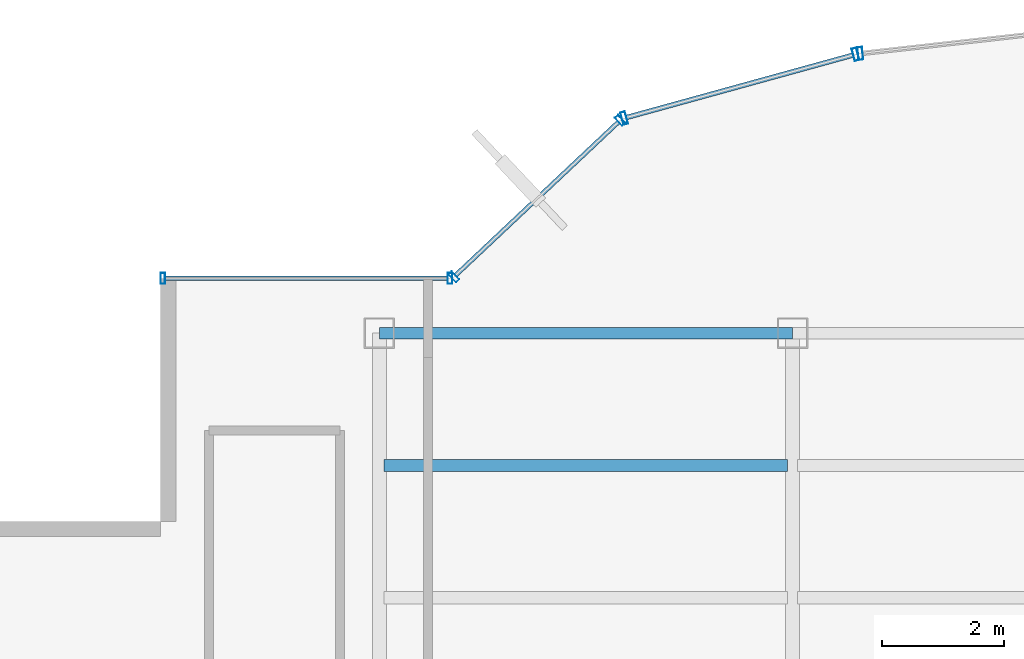
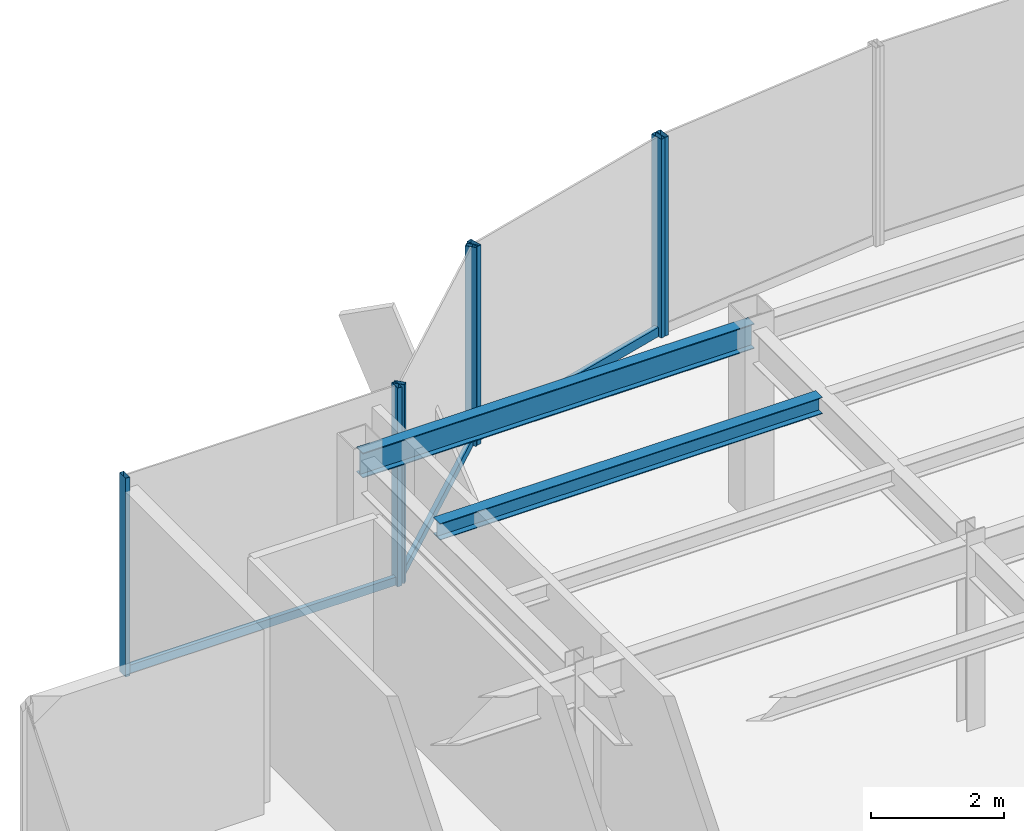
# One storey, part 12 of 22: 10 members, 2 beams, 4 elements without a shape of their own.
"""IFC4 building model written with IfcOpenShell, lengths in metres."""

from ifc_helpers import new_model, si_unit, derived_unit, direction, frame, origin, origin_2d, place, context, subcontext, project, spatial, hollow_rectangle, i_section, extrude, source, transform, mapped, material, material_profile, profile_set, type_object, element, aggregate, save


model = new_model("IFC4")

# Units and contexts
model_context = context("Model", 3, precision=1e-05, world=origin(), true_north=direction((0.0, 1.0)))
body_context = subcontext(model_context, "Body", "Model", "MODEL_VIEW")
ifc_project = project(units=[si_unit("LENGTHUNIT", "METRE"), si_unit("AREAUNIT", "SQUARE_METRE"), si_unit("VOLUMEUNIT", "CUBIC_METRE"), si_unit("PLANEANGLEUNIT", "RADIAN"), si_unit("MASSUNIT", "GRAM", prefix="KILO"), derived_unit("THERMALTRANSMITTANCEUNIT", [(si_unit("POWERUNIT", "WATT"), 1), (si_unit("LENGTHUNIT", "METRE"), -2), (si_unit("THERMODYNAMICTEMPERATUREUNIT", "KELVIN"), -1)])], contexts=[model_context])

# Site, building, storey
site_placement = place(None, origin())
site = spatial("IfcSite", under=ifc_project, at=site_placement, CompositionType="ELEMENT")
building_placement = place(site_placement, origin())
building = spatial("IfcBuilding", under=site, at=building_placement, Name="Skarnbrae Concourse Arena and Tower", CompositionType="ELEMENT")
storey_placement = place(building_placement, frame((0.0, 0.0, 262.449951171875)))
storey = spatial("IfcBuildingStorey", under=building, at=storey_placement, Name="L68", CompositionType="ELEMENT", Elevation=262.449951171875)

# Beams
ifc_material_1 = material(Name="Steel CSA G40.21 350W", Category="steel")
ifc_material_profile_1 = material_profile(ifc_material_1, i_section(OverallWidth=0.19091796875, OverallDepth=0.4599609375, WebThickness=0.010009765625, FlangeThickness=0.01611328125, at=origin_2d()), Name="W460X82")
ifc_profile_set_1 = profile_set([ifc_material_profile_1], Name="Steel CSA G40.21 350W")
beam_type_1 = type_object("IfcBeamType", Name="BM-SPAN-W460X82", PredefinedType="SPANDREL", material=ifc_profile_set_1)
shared_shape_1 = source(origin(), body_context, "Body", "SweptSolid", [
    extrude(i_section(OverallWidth=0.19091796875, OverallDepth=0.4599609375, WebThickness=0.010009765625, FlangeThickness=0.01611328125, at=origin_2d()), origin(), (0.0, 0.0, 1.0), 6.7998046875),
])
beam_1_placement = place(storey_placement, frame((7.60009765625, 34.39990234375, 3.170166015625), z_axis=(1.0, 0.0, 0.0), x_axis=(0.0, 1.0, 0.0)))
element("IfcBeam", 1, at=beam_1_placement, inside=storey, type_object=beam_type_1, Name="L68 Perimeter spandrel Y34.4-1", PredefinedType="SPANDREL", context=body_context, shape_type="MappedRepresentation", body=[
    mapped(shared_shape_1, transform((0.0, 0.0, 0.0))),
])
ifc_material_profile_2 = material_profile(ifc_material_1, i_section(OverallWidth=0.202880859375, OverallDepth=0.302978515625, WebThickness=0.007568359375, FlangeThickness=0.01318359375, at=origin_2d()), Name="W310X60")
ifc_profile_set_2 = profile_set([ifc_material_profile_2], Name="Steel CSA G40.21 350W")
beam_type_2 = type_object("IfcBeamType", Name="BM-JOIST-W310X60", PredefinedType="JOIST", material=ifc_profile_set_2)
shared_shape_2 = source(origin(), body_context, "Body", "SweptSolid", [
    extrude(i_section(OverallWidth=0.202880859375, OverallDepth=0.302978515625, WebThickness=0.007568359375, FlangeThickness=0.01318359375, at=origin_2d()), origin(), (0.0, 0.0, 1.0), 6.64013671875),
])
beam_2_placement = place(storey_placement, frame((7.679931640625, 32.221923828125, 3.24853515625), z_axis=(1.0, 0.0, 0.0), x_axis=(0.0, 1.0, 0.0)))
element("IfcBeam", 2, at=beam_2_placement, inside=storey, type_object=beam_type_2, Name="L68 Secondary floor joist 3.2.1", PredefinedType="JOIST", context=body_context, shape_type="MappedRepresentation", body=[
    mapped(shared_shape_2, transform((0.0, 0.0, 0.0))),
])

# Curtain wall, member
ifc_material_2 = material(Name="Bronze anodised aluminium 6063-T6", Category="aluminium")
curtain_wall_type_1 = type_object("IfcCurtainWallType", Name="CW-SYS-03-PORTAL", PredefinedType="USERDEFINED", material=ifc_material_2)
curtain_wall_1_placement = place(storey_placement, origin())
curtain_wall_1 = element("IfcCurtainWall", 3, at=curtain_wall_1_placement, inside=storey, type_object=curtain_wall_type_1, Name="L68 Unitised curtain wall CW-L68-E12", ObjectType="UNITISED CURTAIN WALL", PredefinedType="USERDEFINED")
ifc_material_profile_3 = material_profile(ifc_material_2, hollow_rectangle(XDim=0.080078125, YDim=0.2099609375, WallThickness=0.00439453125, at=origin_2d()), Name="ALU-MULL-80X210")
ifc_profile_set_3 = profile_set([ifc_material_profile_3], Name="Bronze anodised aluminium 6063-T6")
member_type_1 = type_object("IfcMemberType", Name="CWM-CW-03", PredefinedType="MULLION", material=ifc_profile_set_3)
shared_shape_3 = source(origin(), body_context, "Body", "SweptSolid", [
    extrude(hollow_rectangle(XDim=0.080078125, YDim=0.2099609375, WallThickness=0.00439453125, at=origin_2d()), origin(), (0.0, 0.0, 1.0), 3.650146484375),
])
member_1_placement = place(storey_placement, frame((15.513916015625, 39.001708984375, 0.0), z_axis=(0.0, 0.0, 1.0), x_axis=(-0.993768891873, -0.111460259941, 0.0)))
member_1 = element("IfcMember", 4, at=member_1_placement, type_object=member_type_1, Name="CW-L68-E12 Mullion 2", PredefinedType="MULLION", context=body_context, shape_type="MappedRepresentation", body=[
    mapped(shared_shape_3, transform((0.0, 0.0, 0.0))),
])
aggregate(curtain_wall_1, [member_1])

# Curtain wall, members
curtain_wall_2_placement = place(storey_placement, origin())
curtain_wall_2 = element("IfcCurtainWall", 5, at=curtain_wall_2_placement, inside=storey, type_object=curtain_wall_type_1, Name="L68 Unitised curtain wall CW-L68-E13", ObjectType="UNITISED CURTAIN WALL", PredefinedType="USERDEFINED")
member_2_placement = place(storey_placement, frame((15.435546875, 38.986572265625, 0.0), z_axis=(0.0, 0.0, 1.0), x_axis=(-0.964057388766, -0.265694093207, 0.0)))
member_2 = element("IfcMember", 6, at=member_2_placement, type_object=member_type_1, Name="CW-L68-E13 Mullion 1", PredefinedType="MULLION", context=body_context, shape_type="MappedRepresentation", body=[
    mapped(shared_shape_3, transform((0.0, 0.0, 0.0))),
])
member_3_placement = place(storey_placement, frame((11.62890625, 37.937255859375, 0.0), z_axis=(0.0, 0.0, 1.0), x_axis=(-0.964057388766, -0.265694093207, 0.0)))
member_3 = element("IfcMember", 7, at=member_3_placement, type_object=member_type_1, Name="CW-L68-E13 Mullion 2", PredefinedType="MULLION", context=body_context, shape_type="MappedRepresentation", body=[
    mapped(shared_shape_3, transform((0.0, 0.0, 0.0))),
])

# Curtain wall, member
curtain_wall_type_2 = type_object("IfcCurtainWallType", Name="CW-SYS-05-HIGHZONE", PredefinedType="USERDEFINED", material=ifc_material_2)
curtain_wall_3_placement = place(storey_placement, origin())
curtain_wall_3 = element("IfcCurtainWall", 8, at=curtain_wall_3_placement, inside=storey, type_object=curtain_wall_type_2, Name="L68 Unitised curtain wall CW-L68-E15", ObjectType="UNITISED CURTAIN WALL", PredefinedType="USERDEFINED")
ifc_material_profile_4 = material_profile(ifc_material_2, hollow_rectangle(XDim=0.074951171875, YDim=0.14990234375, WallThickness=0.00390625, at=origin_2d()), Name="ALU-TRAN-75X150")
ifc_profile_set_4 = profile_set([ifc_material_profile_4], Name="Bronze anodised aluminium 6063-T6")
member_type_2 = type_object("IfcMemberType", Name="CWT-CW-05", PredefinedType="USERDEFINED", material=ifc_profile_set_4)
shared_shape_4 = source(origin(), body_context, "Body", "SweptSolid", [
    extrude(hollow_rectangle(XDim=0.074951171875, YDim=0.14990234375, WallThickness=0.00390625, at=origin_2d()), origin(), (0.0, 0.0, 1.0), 4.650146484375),
])
member_4_placement = place(storey_placement, frame((8.72509765625, 35.300048828125, 0.074951171875), z_axis=(-1.0, 0.0, 0.0), x_axis=(0.0, -1.0, 0.0)))
member_4 = element("IfcMember", 9, at=member_4_placement, type_object=member_type_2, Name="CW-L68-E15 Transom 1", ObjectType="TRANSOM", PredefinedType="USERDEFINED", context=body_context, shape_type="MappedRepresentation", body=[
    mapped(shared_shape_4, transform((0.0, 0.0, 0.0))),
])

# Curtain wall, members
curtain_wall_4_placement = place(storey_placement, origin())
curtain_wall_4 = element("IfcCurtainWall", 10, at=curtain_wall_4_placement, inside=storey, type_object=curtain_wall_type_2, Name="L68 Unitised curtain wall CW-L68-E14", ObjectType="UNITISED CURTAIN WALL", PredefinedType="USERDEFINED")
shared_shape_5 = source(origin(), body_context, "Body", "SweptSolid", [
    extrude(hollow_rectangle(XDim=0.074951171875, YDim=0.14990234375, WallThickness=0.00390625, at=origin_2d()), origin(), (0.0, 0.0, 1.0), 3.68212890625),
])
member_5_placement = place(storey_placement, frame((11.53564453125, 37.875244140625, 0.074951171875), z_axis=(-0.728133808476, -0.685435012933, 0.0), x_axis=(0.685435012933, -0.728133808476, 0.0)))
member_5 = element("IfcMember", 11, at=member_5_placement, type_object=member_type_2, Name="CW-L68-E14 Transom 1", ObjectType="TRANSOM", PredefinedType="USERDEFINED", context=body_context, shape_type="MappedRepresentation", body=[
    mapped(shared_shape_5, transform((0.0, 0.0, 0.0))),
])
ifc_material_profile_5 = material_profile(ifc_material_2, hollow_rectangle(XDim=0.074951171875, YDim=0.179931640625, WallThickness=0.00390625, at=origin_2d()), Name="ALU-MULL-75X180")
ifc_profile_set_5 = profile_set([ifc_material_profile_5], Name="Bronze anodised aluminium 6063-T6")
member_type_3 = type_object("IfcMemberType", Name="CWM-CW-05", PredefinedType="MULLION", material=ifc_profile_set_5)
shared_shape_6 = source(origin(), body_context, "Body", "SweptSolid", [
    extrude(hollow_rectangle(XDim=0.074951171875, YDim=0.179931640625, WallThickness=0.00390625, at=origin_2d()), origin(), (0.0, 0.0, 1.0), 3.650146484375),
])
member_6_placement = place(storey_placement, frame((11.56298828125, 37.90087890625, 0.0), z_axis=(0.0, 0.0, 1.0), x_axis=(-0.728130555214, -0.685438468838, 0.0)))
member_6 = element("IfcMember", 12, at=member_6_placement, type_object=member_type_3, Name="CW-L68-E14 Mullion 1", PredefinedType="MULLION", context=body_context, shape_type="MappedRepresentation", body=[
    mapped(shared_shape_6, transform((0.0, 0.0, 0.0))),
])
member_7_placement = place(storey_placement, frame((8.827392578125, 35.32568359375, 0.0), z_axis=(0.0, 0.0, 1.0), x_axis=(-0.728130555214, -0.685438468838, 0.0)))
member_7 = element("IfcMember", 13, at=member_7_placement, type_object=member_type_3, Name="CW-L68-E14 Mullion 2", PredefinedType="MULLION", context=body_context, shape_type="MappedRepresentation", body=[
    mapped(shared_shape_6, transform((0.0, 0.0, 0.0))),
])
aggregate(curtain_wall_4, [member_6, member_7, member_5])

# Member
member_8_placement = place(storey_placement, frame((8.762451171875, 35.300048828125, 0.0), z_axis=(0.0, 0.0, 1.0), x_axis=(-1.0, 0.0, 0.0)))
member_8 = element("IfcMember", 14, at=member_8_placement, type_object=member_type_3, Name="CW-L68-E15 Mullion 1", PredefinedType="MULLION", context=body_context, shape_type="MappedRepresentation", body=[
    mapped(shared_shape_6, transform((0.0, 0.0, 0.0))),
])

member_9_placement = place(storey_placement, frame((4.03759765625, 35.300048828125, 0.0), z_axis=(0.0, 0.0, 1.0), x_axis=(-1.0, 0.0, 0.0)))
member_9 = element("IfcMember", 15, at=member_9_placement, type_object=member_type_3, Name="CW-L68-E15 Mullion 2", PredefinedType="MULLION", context=body_context, shape_type="MappedRepresentation", body=[
    mapped(shared_shape_6, transform((0.0, 0.0, 0.0))),
])

aggregate(curtain_wall_3, [member_8, member_9, member_4])

ifc_material_profile_6 = material_profile(ifc_material_2, hollow_rectangle(XDim=0.080078125, YDim=0.169921875, WallThickness=0.00439453125, at=origin_2d()), Name="ALU-TRAN-80X170")
ifc_profile_set_6 = profile_set([ifc_material_profile_6], Name="Bronze anodised aluminium 6063-T6")
member_type_4 = type_object("IfcMemberType", Name="CWT-CW-03", PredefinedType="USERDEFINED", material=ifc_profile_set_6)
shared_shape_7 = source(origin(), body_context, "Body", "SweptSolid", [
    extrude(hollow_rectangle(XDim=0.080078125, YDim=0.169921875, WallThickness=0.00439453125, at=origin_2d()), origin(), (0.0, 0.0, 1.0), 3.86865234375),
])
member_10_placement = place(storey_placement, frame((15.397216796875, 38.975830078125, 0.0849609375), z_axis=(-0.964062872218, -0.265674195983, 0.0), x_axis=(0.265674195983, -0.964062872218, 0.0)))
member_10 = element("IfcMember", 16, at=member_10_placement, type_object=member_type_4, Name="CW-L68-E13 Transom 1", ObjectType="TRANSOM", PredefinedType="USERDEFINED", context=body_context, shape_type="MappedRepresentation", body=[
    mapped(shared_shape_7, transform((0.0, 0.0, 0.0))),
])

aggregate(curtain_wall_2, [member_2, member_3, member_10])

save(model, "model.ifc")
